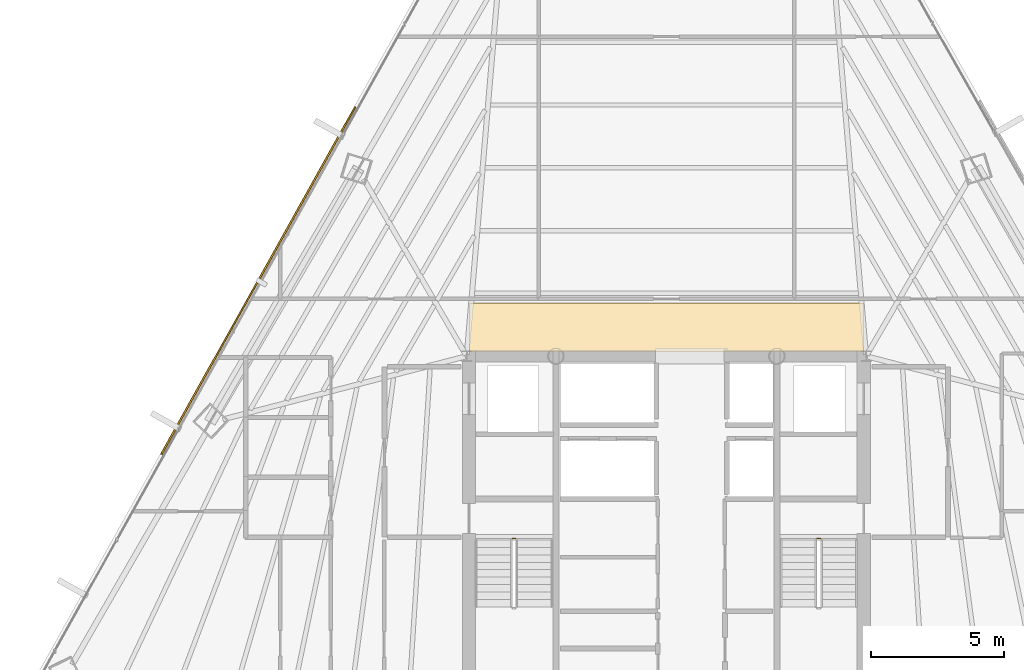
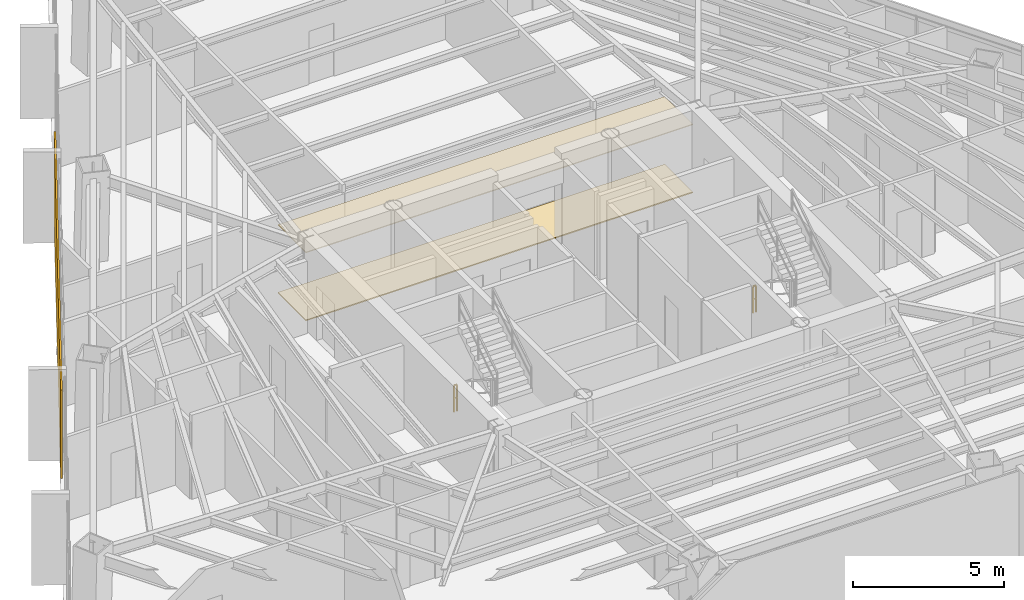
# One storey, part 37 of 38: 2 coverings, 2 railings, 1 shading device.
"""IFC4 building model written with IfcOpenShell, lengths in metres."""

from ifc_helpers import new_model, si_unit, direction, frame, origin, origin_2d, place, context, subcontext, project, spatial, polyline, rectangle, outline, extrude, source, transform, mapped, material, layer, layer_set, type_object, type_shapes, element, save


model = new_model("IFC4")

# Units and contexts
model_context = context("Model", 3, precision=1e-05, world=origin(), true_north=direction((0.0, 1.0)))
body_context = subcontext(model_context, "Body", "Model", "MODEL_VIEW")
ifc_project = project(units=[si_unit("LENGTHUNIT", "METRE"), si_unit("AREAUNIT", "SQUARE_METRE"), si_unit("VOLUMEUNIT", "CUBIC_METRE"), si_unit("PLANEANGLEUNIT", "RADIAN"), si_unit("MASSUNIT", "GRAM", prefix="KILO")], contexts=[model_context])

# Site, building, storey
site_placement = place(None, origin())
site = spatial("IfcSite", under=ifc_project, at=site_placement, CompositionType="ELEMENT")
building_placement = place(site_placement, origin())
building = spatial("IfcBuilding", under=site, at=building_placement, Name="Caelisora Broadcast Tower", CompositionType="ELEMENT")
storey_placement = place(building_placement, frame((0.0, 0.0, 158.5)))
storey = spatial("IfcBuildingStorey", under=building, at=storey_placement, Name="L41", CompositionType="ELEMENT", Elevation=158.5)

# Coverings
ifc_material_1 = material(Name="Perforated Mineral-Fibre Acoustic Ceiling Tile", Category="gypsum")
ifc_layer_1 = layer(ifc_material_1, 0.034912109375, Name="Perforated Mineral-Fibre Acoustic Ceiling Tile")
ifc_layer_set_1 = layer_set([ifc_layer_1], Name="Perforated Mineral-Fibre Acoustic Ceiling Tile")
covering_type_1 = type_object("IfcCoveringType", Name="CE-1", PredefinedType="CEILING", material=ifc_layer_set_1)
covering_1_placement = place(storey_placement, frame((0.0, 0.0, 2.75)))
element("IfcCovering", 1, at=covering_1_placement, inside=storey, type_object=covering_type_1, Name="L41 acoustic corridor ceiling CE-1 (N)", PredefinedType="CEILING", context=body_context, shape_type="SweptSolid", body=[
    extrude(outline(polyline([(30.60009765625, 30.14990234375), (45.39990234375, 30.14990234375), (45.39990234375, 32.0), (30.60009765625, 32.0), (30.60009765625, 30.14990234375)])), origin(), (0.0, 0.0, 1.0), 0.034912109375),
])
ifc_material_2 = material(Name="Anti-Static Broadcast Raised Access Floor Panel", Category="steel")
ifc_layer_2 = layer(ifc_material_2, 0.044921875, Name="Anti-Static Broadcast Raised Access Floor Panel")
ifc_layer_set_2 = layer_set([ifc_layer_2], Name="Anti-Static Broadcast Raised Access Floor Panel")
covering_type_2 = type_object("IfcCoveringType", Name="FL-1", PredefinedType="FLOORING", material=ifc_layer_set_2)
covering_2_placement = place(storey_placement, origin())
element("IfcCovering", 2, at=covering_2_placement, inside=storey, type_object=covering_type_2, Name="L41 broadcast raised access floor FL-1 (N)", PredefinedType="FLOORING", context=body_context, shape_type="SweptSolid", body=[
    extrude(outline(polyline([(30.60009765625, 30.14990234375), (45.39990234375, 30.14990234375), (45.39990234375, 32.0), (30.60009765625, 32.0), (30.60009765625, 30.14990234375)])), origin(), (0.0, 0.0, 1.0), 0.044921875),
])

# Railings
ifc_material_3 = material(Name="Galvanised Steel Safety Guardrail", Category="steel")
ifc_layer_3 = layer(ifc_material_3, 0.048095703125, Name="Galvanised Steel Safety Guardrail")
ifc_layer_set_3 = layer_set([ifc_layer_3], Name="Galvanised Steel Safety Guardrail")
railing_type = type_object("IfcRailingType", Name="GR-1", PredefinedType="GUARDRAIL", material=ifc_layer_set_3)
for number, where, name in (
    (3, (32.219970703125, 23.14990234375, 0.0), "L41 ST-1 stair guard 4"),
    (4, (43.659912109375, 23.14990234375, 0.0), "L41 ST-2 stair guard 4"),
):
    element("IfcRailing", number, at=place(storey_placement, frame(where)), inside=storey, type_object=railing_type, Name=name, PredefinedType="GUARDRAIL", context=body_context, shape_type="SweptSolid", body=[
        extrude(rectangle(XDim=0.048095703125, YDim=0.048095703125, at=origin_2d()), frame((0.0, 0.0, 1.076171875), z_axis=(1.0, 0.0, 0.0), x_axis=(0.0, 1.0, 0.0)), (0.0, 0.0, 1.0), 0.1201171875),
        extrude(rectangle(XDim=0.03125, YDim=0.03125, at=origin_2d()), frame((0.0, 0.0, 0.550048828125), z_axis=(1.0, 0.0, 0.0), x_axis=(0.0, 1.0, 0.0)), (0.0, 0.0, 1.0), 0.1201171875),
        extrude(rectangle(XDim=0.0419921875, YDim=0.0419921875, at=origin_2d()), origin(), (0.0, 0.0, 1.0), 1.052001953125),
        extrude(rectangle(XDim=0.0419921875, YDim=0.0419921875, at=origin_2d()), frame((0.1201171875, 0.0, 0.0)), (0.0, 0.0, 1.0), 1.052001953125),
    ])

# Shading device
ifc_material_4 = material(Name="Perforated Glazed Terracotta Baguette Solar Screen", Category="ceramic")
ifc_layer_4 = layer(ifc_material_4, 0.06494140625, Name="Perforated Glazed Terracotta Baguette Solar Screen")
ifc_layer_set_4 = layer_set([ifc_layer_4], Name="Perforated Glazed Terracotta Baguette Solar Screen")
shading_device_type = type_object("IfcShadingDeviceType", Name="SS-1", PredefinedType="USERDEFINED", material=ifc_layer_set_4)
shared_shape = source(origin(), body_context, "Body", "SweptSolid", [
    extrude(rectangle(XDim=14.93603515625, YDim=0.06494140625, at=origin_2d()), origin(), (0.0, 0.0, 1.0), 3.590087890625),
])
type_shapes(shading_device_type, [shared_shape])
shading_device_placement = place(storey_placement, frame((22.6748046875, 32.83837890625, 0.0), z_axis=(0.0, 0.0, 1.0), x_axis=(-0.487554922136, -0.873092319232, 0.0)))
element("IfcShadingDevice", 5, at=shading_device_placement, inside=storey, type_object=shading_device_type, Name="L41 perforated terracotta solar screen #1", ObjectType="SOLAR SCREEN", PredefinedType="USERDEFINED", context=body_context, shape_type="MappedRepresentation", body=[
    mapped(shared_shape, transform((0.0, 0.0, 0.0), scale=1.0)),
])

save(model, "model.ifc")
